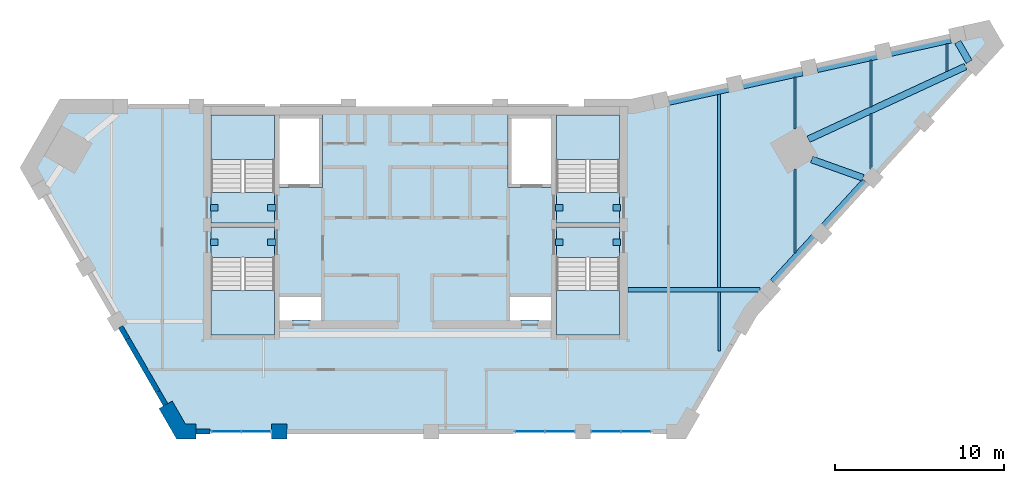
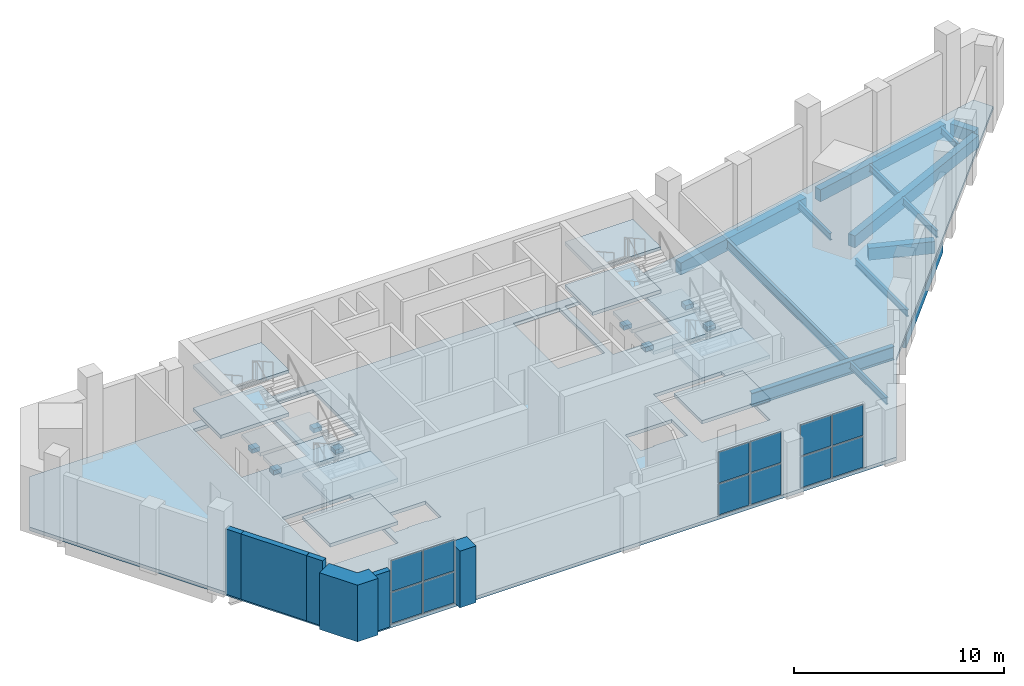
# One storey, part 3 of 9: 22 beams, 13 slabs, 12 plates, 6 walls, 7 elements without a shape of their own.
"""IFC4 building model written with IfcOpenShell, lengths in metres."""

import ifcopenshell
import ifcopenshell.guid

model = None  # the IFC model being written
_history = None  # IfcOwnerHistory: only IFC2X3 demands one
_inside = {}  # id of a spatial element -> (the spatial element, [elements in it])
_under = {}  # id of a project, library or spatial element -> (it, [spatial elements below it])
_declared = {}  # id of a project -> (the project, [libraries it declares])
_typed = {}  # id of a type object -> (the type object, [elements of that type])
_made_of = {}  # id of a material, layer set ... -> (it, [elements and type objects made of it])


def new_model(schema):
    """Start an empty IFC model of exactly this schema.

    Asked for "IFC4X3", IfcOpenShell would pick the latest addendum, in which some entities
    have other attributes; the version numbers below select the first issue.
    IFC2X3 requires an IfcOwnerHistory on every rooted entity: one is made here for all.
    """
    global model, _history
    if schema == "IFC4X3":
        model = ifcopenshell.file(schema_version=(4, 3, 0, 0))
    else:
        model = ifcopenshell.file(schema=schema)
    _inside.clear()
    _under.clear()
    _declared.clear()
    _typed.clear()
    _made_of.clear()
    _history = None
    if model.schema == "IFC2X3":
        org = make("IfcOrganization", Name="unknown")
        user = make(
            "IfcPersonAndOrganization",
            ThePerson=make("IfcPerson", FamilyName="unknown"),
            TheOrganization=org,
        )
        app = make(
            "IfcApplication",
            ApplicationDeveloper=org,
            Version="unknown",
            ApplicationFullName="unknown",
            ApplicationIdentifier="unknown",
        )
        _history = make(
            "IfcOwnerHistory",
            OwningUser=user,
            OwningApplication=app,
            ChangeAction="ADDED",
            CreationDate=0,
        )
    return model


def make(cls, **values):
    """One entity of the class cls with the attributes given. An attribute that is None is left unset."""
    return model.create_entity(
        cls, **{name: value for name, value in values.items() if value is not None}
    )


def rooted(cls, **values):
    """An entity with a GlobalId (a new one), such as an element, a storey or a relation."""
    return make(cls, GlobalId=ifcopenshell.guid.new(), OwnerHistory=_history, **values)


def si_unit(unit_type, name, prefix=None):
    """IfcSIUnit, for example si_unit("LENGTHUNIT", "METRE", prefix="MILLI")."""
    return make("IfcSIUnit", UnitType=unit_type, Prefix=prefix, Name=name)


def assignment(units):
    """IfcUnitAssignment: the units of a project."""
    return None if units is None else make("IfcUnitAssignment", Units=units)


def point(xyz):
    """IfcCartesianPoint."""
    return None if xyz is None else make("IfcCartesianPoint", Coordinates=xyz)


def direction(xyz):
    """IfcDirection."""
    return None if xyz is None else make("IfcDirection", DirectionRatios=xyz)


def frame(location, z_axis=None, x_axis=None):
    """IfcAxis2Placement3D, a coordinate frame: its origin and axes. An axis left out is left unset."""
    return make(
        "IfcAxis2Placement3D",
        Location=point(location),
        Axis=direction(z_axis),
        RefDirection=direction(x_axis),
    )


def frame_2d(location, x_axis=None):
    """IfcAxis2Placement2D, a coordinate frame in the plane: its origin and x axis."""
    return make(
        "IfcAxis2Placement2D", Location=point(location), RefDirection=direction(x_axis)
    )


def origin():
    """The frame at (0, 0, 0) with its axes left unset."""
    return frame((0.0, 0.0, 0.0))


def origin_2d():
    """The frame at (0, 0) in the plane with its x axis left unset."""
    return frame_2d((0.0, 0.0))


def place(relative_to, where):
    """IfcLocalPlacement: puts the frame where relative to a parent placement (None: the world)."""
    return make(
        "IfcLocalPlacement", PlacementRelTo=relative_to, RelativePlacement=where
    )


def context(
    kind, dimensions, precision=None, world=None, true_north=None, identifier=None
):
    """IfcGeometricRepresentationContext, for example the 3D "Model" context."""
    return make(
        "IfcGeometricRepresentationContext",
        ContextIdentifier=identifier,
        ContextType=kind,
        CoordinateSpaceDimension=dimensions,
        Precision=precision,
        WorldCoordinateSystem=world,
        TrueNorth=true_north,
    )


def subcontext(parent, identifier, kind, view, scale=None):
    """IfcGeometricRepresentationSubContext, for example "Body" below "Model"."""
    return make(
        "IfcGeometricRepresentationSubContext",
        ContextIdentifier=identifier,
        ContextType=kind,
        ParentContext=parent,
        TargetScale=scale,
        TargetView=view,
    )


def project(units=None, contexts=None):
    """IfcProject with its units and contexts."""
    return rooted(
        "IfcProject",
        Name="project",
        RepresentationContexts=contexts,
        UnitsInContext=assignment(units),
    )


def spatial(cls, under=None, at=None, **own):
    """A site, building, storey or space (cls), placed at a placement, below another one or the project."""
    s = rooted(cls, ObjectPlacement=at, **own)
    if under is not None:
        _under.setdefault(under.id(), (under, []))[1].append(s)
    return s


def polyline(points):
    """IfcPolyline through the points."""
    return make("IfcPolyline", Points=[point(p) for p in points])


def profile(cls, at=None, kind="AREA", **sizes):
    """A parametric profile (cls). Its sizes go by their IFC names, for example OverallWidth=200.0."""
    return make(cls, ProfileType=kind, Position=at, **sizes)


def rectangle(**sizes):
    """IfcRectangleProfileDef."""
    return profile("IfcRectangleProfileDef", **sizes)


def i_section(**sizes):
    """IfcIShapeProfileDef."""
    return profile("IfcIShapeProfileDef", **sizes)


def outline(outer, holes=None, kind="AREA"):
    """IfcArbitraryClosedProfileDef: a profile drawn as a closed curve; with holes, ...WithVoids."""
    if holes is None:
        return make("IfcArbitraryClosedProfileDef", ProfileType=kind, OuterCurve=outer)
    return make(
        "IfcArbitraryProfileDefWithVoids",
        ProfileType=kind,
        OuterCurve=outer,
        InnerCurves=holes,
    )


def extrude(swept, where, along, depth):
    """IfcExtrudedAreaSolid: the profile swept, set in the frame where, extruded along a direction by depth."""
    return make(
        "IfcExtrudedAreaSolid",
        SweptArea=swept,
        Position=where,
        ExtrudedDirection=direction(along),
        Depth=depth,
    )


def shape(context_of_items, identifier, shape_type, items):
    """IfcShapeRepresentation: the items that make up one representation, for example the "Body"."""
    return make(
        "IfcShapeRepresentation",
        ContextOfItems=context_of_items,
        RepresentationIdentifier=identifier,
        RepresentationType=shape_type,
        Items=items,
    )


def material(Name=None, Category=None):
    """IfcMaterial."""
    return make("IfcMaterial", Name=Name, Category=Category)


def layer(
    of_material, thickness, ventilated=None, Name=None, Category=None, Priority=None
):
    """IfcMaterialLayer: one layer of a wall or slab, of a material (None: an air gap)."""
    return make(
        "IfcMaterialLayer",
        Material=of_material,
        LayerThickness=thickness,
        IsVentilated=ventilated,
        Name=Name,
        Category=Category,
        Priority=Priority,
    )


def layer_set(layers, Name=None):
    """IfcMaterialLayerSet."""
    return make("IfcMaterialLayerSet", MaterialLayers=layers, LayerSetName=Name)


def material_profile(
    of_material, cross_section, Name=None, Category=None, Priority=None
):
    """IfcMaterialProfile: a cross section and its material."""
    return make(
        "IfcMaterialProfile",
        Name=Name,
        Material=of_material,
        Profile=cross_section,
        Priority=Priority,
        Category=Category,
    )


def profile_set(profiles, Name=None, composite=None):
    """IfcMaterialProfileSet."""
    return make(
        "IfcMaterialProfileSet",
        Name=Name,
        MaterialProfiles=profiles,
        CompositeProfile=composite,
    )


def made_of(thing, what):
    """Note that an element or type object is made of a material, layer set ...; save() writes the relation."""
    if what is not None:
        _made_of.setdefault(what.id(), (what, []))[1].append(thing)
    return thing


def type_object(cls, material=None, **own):
    """A type object (cls), such as IfcWallType, which elements share."""
    return made_of(rooted(cls, **own), material)


def element(
    cls,
    number,
    at=None,
    inside=None,
    cuts=None,
    type_object=None,
    material=None,
    context=None,
    identifier="Body",
    shape_type=None,
    held_by="IfcProductDefinitionShape",
    body=None,
    shapes=None,
    **own,
):
    """One element of the class cls, such as IfcWall. Its Tag is "e" and its number.

    at: its placement. inside: the storey or other place that contains it. cuts: it is an
    opening in that element (IfcRelVoidsElement). A single representation is given by context,
    identifier, shape_type and body (its items); several are given by shapes. held_by: the class
    of the entity that holds the representations. save() writes the other relations.
    """
    e = rooted(cls, Tag="e%d" % number, ObjectPlacement=at, **own)
    if body is not None:
        shapes = [shape(context, identifier, shape_type, body)]
    if shapes is not None:
        e.Representation = make(held_by, Representations=shapes)
    if inside is not None:
        _inside.setdefault(inside.id(), (inside, []))[1].append(e)
    if cuts is not None:
        rooted(
            "IfcRelVoidsElement", RelatingBuildingElement=cuts, RelatedOpeningElement=e
        )
    if type_object is not None:
        _typed.setdefault(type_object.id(), (type_object, []))[1].append(e)
    return made_of(e, material)


def aggregate(whole, parts):
    """IfcRelAggregates: a whole, such as a stair, and the parts it consists of."""
    return rooted("IfcRelAggregates", RelatingObject=whole, RelatedObjects=parts)


def save(model, path):
    """Write the relations noted so far, then the file.

    IfcRelAggregates (storeys below a building ...), IfcRelContainedInSpatialStructure (elements
    in a storey), IfcRelDefinesByType, IfcRelAssociatesMaterial and IfcRelDeclares: one each for
    every whole, place, type object, material and project.
    """
    for whole, parts in _under.values():
        aggregate(whole, parts)
    for where, things in _inside.values():
        rooted(
            "IfcRelContainedInSpatialStructure",
            RelatedElements=things,
            RelatingStructure=where,
        )
    for kind, things in _typed.values():
        rooted("IfcRelDefinesByType", RelatedObjects=things, RelatingType=kind)
    for what, things in _made_of.values():
        rooted("IfcRelAssociatesMaterial", RelatedObjects=things, RelatingMaterial=what)
    for by, libraries in _declared.values():
        rooted("IfcRelDeclares", RelatingContext=by, RelatedDefinitions=libraries)
    model.write(path)


model = new_model("IFC4")

# Units and contexts
model_context = context("Model", 3, precision=1e-05, world=origin(), true_north=direction((0.0, 1.0)))
body_context = subcontext(model_context, "Body", "Model", "MODEL_VIEW")
ifc_project = project(units=[si_unit("LENGTHUNIT", "METRE"), si_unit("AREAUNIT", "SQUARE_METRE"), si_unit("VOLUMEUNIT", "CUBIC_METRE"), si_unit("PLANEANGLEUNIT", "RADIAN"), si_unit("MASSUNIT", "GRAM", prefix="KILO")], contexts=[model_context])

# Site, building, storey
site_placement = place(None, origin())
site = spatial("IfcSite", under=ifc_project, at=site_placement, CompositionType="ELEMENT")
building_placement = place(site_placement, origin())
building = spatial("IfcBuilding", under=site, at=building_placement, Name="Calabash Gate Tower", CompositionType="ELEMENT")
storey_placement = place(building_placement, frame((0.0, 0.0, 330.5)))
storey = spatial("IfcBuildingStorey", under=building, at=storey_placement, Name="L77", CompositionType="ELEMENT", Elevation=330.5)

# Beams
ifc_material_1 = material(Name="Concrete C50/60", Category="concrete")
ifc_material_profile_1 = material_profile(ifc_material_1, rectangle(XDim=0.39990234375, YDim=0.699951171875, at=origin_2d()))
ifc_profile_set_1 = profile_set([ifc_material_profile_1], Name="Concrete C50/60")
beam_type_1 = type_object("IfcBeamType", Name="Edge beam RC 400x700 Concrete C50/60", PredefinedType="BEAM", material=ifc_profile_set_1)
beam_1_placement = place(storey_placement, frame((21.18701171875, 8.652099609375, -0.550048828125), z_axis=(0.674873802315, 0.737933161573, 0.0), x_axis=(-0.737933161573, 0.674873802315, 0.0)))
element("IfcBeam", 1, at=beam_1_placement, inside=storey, type_object=beam_type_1, Name="Edge beam L77 1", PredefinedType="BEAM", context=body_context, shape_type="SweptSolid", body=[
    extrude(rectangle(XDim=0.39990234375, YDim=0.699951171875, at=origin_2d()), origin(), (0.0, 0.0, 1.0), 8.099365234375),
])
beam_2_placement = place(storey_placement, frame((26.51904296875, 14.822998046875, -0.550048828125), z_axis=(-0.941568596034, 0.336821286386, 0.0), x_axis=(-0.336821286386, -0.941568596034, 0.0)))
element("IfcBeam", 2, at=beam_2_placement, inside=storey, type_object=beam_type_1, Name="Edge beam L77 2", PredefinedType="BEAM", context=body_context, shape_type="SweptSolid", body=[
    extrude(rectangle(XDim=0.39990234375, YDim=0.699951171875, at=origin_2d()), origin(), (0.0, 0.0, 1.0), 3.22119140625),
])
beam_3_placement = place(storey_placement, frame((23.2919921875, 17.10693359375, -0.550048828125), z_axis=(0.907348038584, 0.420380228933, 0.0), x_axis=(-0.420380228933, 0.907348038584, 0.0)))
element("IfcBeam", 3, at=beam_3_placement, inside=storey, type_object=beam_type_1, Name="Edge beam L77 3", PredefinedType="BEAM", context=body_context, shape_type="SweptSolid", body=[
    extrude(rectangle(XDim=0.39990234375, YDim=0.699951171875, at=origin_2d()), origin(), (0.0, 0.0, 1.0), 10.255126953125),
])
beam_4_placement = place(storey_placement, frame((32.81591796875, 21.694091796875, -0.550048828125), z_axis=(-0.499903734186, 0.866080975745, 0.0), x_axis=(-0.866080975745, -0.499903734186, 0.0)))
element("IfcBeam", 4, at=beam_4_placement, inside=storey, type_object=beam_type_1, Name="Edge beam L77 4", PredefinedType="BEAM", context=body_context, shape_type="SweptSolid", body=[
    extrude(rectangle(XDim=0.39990234375, YDim=0.699951171875, at=origin_2d()), origin(), (0.0, 0.0, 1.0), 1.360107421875),
])
beam_5_placement = place(storey_placement, frame((31.72705078125, 23.006103515625, -0.550048828125), z_axis=(-0.976492437334, -0.215551663945, 0.0), x_axis=(0.215551663945, -0.976492437334, 0.0)))
element("IfcBeam", 5, at=beam_5_placement, inside=storey, type_object=beam_type_1, Name="Edge beam L77 5", PredefinedType="BEAM", context=body_context, shape_type="SweptSolid", body=[
    extrude(rectangle(XDim=0.39990234375, YDim=0.699951171875, at=origin_2d()), origin(), (0.0, 0.0, 1.0), 8.1005859375),
])
beam_6_placement = place(storey_placement, frame((22.93603515625, 21.06591796875, -0.550048828125), z_axis=(-0.976517152373, -0.215439669332, 0.0), x_axis=(0.215439669332, -0.976517152373, 0.0)))
element("IfcBeam", 6, at=beam_6_placement, inside=storey, type_object=beam_type_1, Name="Edge beam L77 6", PredefinedType="BEAM", context=body_context, shape_type="SweptSolid", body=[
    extrude(rectangle(XDim=0.39990234375, YDim=0.699951171875, at=origin_2d()), origin(), (0.0, 0.0, 1.0), 8.09912109375),
])
ifc_material_2 = material(Name="Steel ASTM A992 Gr50", Category="steel")
ifc_material_profile_2 = material_profile(ifc_material_2, i_section(OverallWidth=0.1396484375, OverallDepth=0.398681640625, WebThickness=0.00634765625, FlangeThickness=0.0087890625, FilletRadius=0.01025390625, at=origin_2d()))
ifc_profile_set_2 = profile_set([ifc_material_profile_2], Name="Steel ASTM A992 Gr50")
beam_type_2 = type_object("IfcBeamType", Name="Floor beam W16x26 ASTM A992 Gr50", PredefinedType="BEAM", material=ifc_profile_set_2)
beam_7_placement = place(storey_placement, frame((18.0, 4.547119140625, -0.39892578125), z_axis=(0.0, 1.0, 0.0), x_axis=(-1.0, 0.0, 0.0)))
element("IfcBeam", 7, at=beam_7_placement, inside=storey, type_object=beam_type_2, Name="Floor beam L77 4", PredefinedType="BEAM", context=body_context, shape_type="SweptSolid", body=[
    extrude(i_section(OverallWidth=0.1396484375, OverallDepth=0.398681640625, WebThickness=0.00634765625, FlangeThickness=0.0087890625, FilletRadius=0.01025390625, at=origin_2d()), origin(), (0.0, 0.0, 1.0), 3.50390625),
])
beam_8_placement = place(storey_placement, frame((22.5, 10.3720703125, -0.39892578125), z_axis=(0.0, 1.0, 0.0), x_axis=(-1.0, 0.0, 0.0)))
element("IfcBeam", 8, at=beam_8_placement, inside=storey, type_object=beam_type_2, Name="Floor beam L77 6", PredefinedType="BEAM", context=body_context, shape_type="SweptSolid", body=[
    extrude(i_section(OverallWidth=0.1396484375, OverallDepth=0.398681640625, WebThickness=0.00634765625, FlangeThickness=0.0087890625, FilletRadius=0.01025390625, at=origin_2d()), origin(), (0.0, 0.0, 1.0), 4.969970703125),
])
beam_9_placement = place(storey_placement, frame((22.5, 17.702880859375, -0.39892578125), z_axis=(0.0, 1.0, 0.0), x_axis=(-1.0, 0.0, 0.0)))
element("IfcBeam", 9, at=beam_9_placement, inside=storey, type_object=beam_type_2, Name="Floor beam L77 7", PredefinedType="BEAM", context=body_context, shape_type="SweptSolid", body=[
    extrude(i_section(OverallWidth=0.1396484375, OverallDepth=0.398681640625, WebThickness=0.00634765625, FlangeThickness=0.0087890625, FilletRadius=0.01025390625, at=origin_2d()), origin(), (0.0, 0.0, 1.0), 3.09423828125),
])
beam_10_placement = place(storey_placement, frame((27.0, 15.35693359375, -0.39892578125), z_axis=(0.0, 1.0, 0.0), x_axis=(-1.0, 0.0, 0.0)))
element("IfcBeam", 10, at=beam_10_placement, inside=storey, type_object=beam_type_2, Name="Floor beam L77 8", PredefinedType="BEAM", context=body_context, shape_type="SweptSolid", body=[
    extrude(i_section(OverallWidth=0.1396484375, OverallDepth=0.398681640625, WebThickness=0.00634765625, FlangeThickness=0.0087890625, FilletRadius=0.01025390625, at=origin_2d()), origin(), (0.0, 0.0, 1.0), 3.27001953125),
])
beam_11_placement = place(storey_placement, frame((27.0, 19.02197265625, -0.39892578125), z_axis=(0.0, 1.0, 0.0), x_axis=(-1.0, 0.0, 0.0)))
element("IfcBeam", 11, at=beam_11_placement, inside=storey, type_object=beam_type_2, Name="Floor beam L77 9", PredefinedType="BEAM", context=body_context, shape_type="SweptSolid", body=[
    extrude(i_section(OverallWidth=0.1396484375, OverallDepth=0.398681640625, WebThickness=0.00634765625, FlangeThickness=0.0087890625, FilletRadius=0.01025390625, at=origin_2d()), origin(), (0.0, 0.0, 1.0), 2.76806640625),
])
beam_12_placement = place(storey_placement, frame((31.5, 21.10888671875, -0.39892578125), z_axis=(0.0, 1.0, 0.0), x_axis=(-1.0, 0.0, 0.0)))
element("IfcBeam", 12, at=beam_12_placement, inside=storey, type_object=beam_type_2, Name="Floor beam L77 10", PredefinedType="BEAM", context=body_context, shape_type="SweptSolid", body=[
    extrude(i_section(OverallWidth=0.1396484375, OverallDepth=0.398681640625, WebThickness=0.00634765625, FlangeThickness=0.0087890625, FilletRadius=0.01025390625, at=origin_2d()), origin(), (0.0, 0.0, 1.0), 1.674072265625),
])
ifc_material_3 = material(Name="Steel ASTM A992 Gr50", Category="steel")
ifc_material_profile_3 = material_profile(ifc_material_3, i_section(OverallWidth=0.166015625, OverallDepth=0.5283203125, WebThickness=0.009765625, FlangeThickness=0.013671875, FilletRadius=0.0126953125, at=origin_2d()))
ifc_profile_set_3 = profile_set([ifc_material_profile_3], Name="Steel ASTM A992 Gr50")
beam_type_3 = type_object("IfcBeamType", Name="Floor beam W21x50 ASTM A992 Gr50", PredefinedType="BEAM", material=ifc_profile_set_3)
beam_13_placement = place(storey_placement, frame((18.0, 8.318115234375, -0.464111328125), z_axis=(0.0, 1.0, 0.0), x_axis=(-1.0, 0.0, 0.0)))
element("IfcBeam", 13, at=beam_13_placement, inside=storey, type_object=beam_type_3, Name="Floor beam L77 5", PredefinedType="BEAM", context=body_context, shape_type="SweptSolid", body=[
    extrude(i_section(OverallWidth=0.166015625, OverallDepth=0.5283203125, WebThickness=0.009765625, FlangeThickness=0.013671875, FilletRadius=0.0126953125, at=origin_2d()), origin(), (0.0, 0.0, 1.0), 11.48583984375),
])
ifc_material_4 = material(Name="Steel ASTM A992 Gr50", Category="steel")
ifc_material_profile_4 = material_profile(ifc_material_4, i_section(OverallWidth=0.2666015625, OverallDepth=0.77978515625, WebThickness=0.0166015625, FlangeThickness=0.030029296875, FilletRadius=0.0166015625, at=origin_2d()))
ifc_profile_set_4 = profile_set([ifc_material_profile_4], Name="Steel ASTM A992 Gr50")
beam_type_4 = type_object("IfcBeamType", Name="Girder W30x148 ASTM A992 Gr50", PredefinedType="BEAM", material=ifc_profile_set_4)
beam_14_placement = place(storey_placement, frame((20.43310546875, 8.18701171875, -0.590087890625), z_axis=(-1.0, 0.0, 0.0), x_axis=(0.0, -1.0, 0.0)))
element("IfcBeam", 14, at=beam_14_placement, inside=storey, type_object=beam_type_4, Name="Girder L77 3", PredefinedType="BEAM", context=body_context, shape_type="SweptSolid", body=[
    extrude(i_section(OverallWidth=0.2666015625, OverallDepth=0.77978515625, WebThickness=0.0166015625, FlangeThickness=0.030029296875, FilletRadius=0.0166015625, at=origin_2d()), origin(), (0.0, 0.0, 1.0), 7.8330078125),
])
ifc_material_5 = material(Name="Concrete C60/75", Category="concrete")
ifc_material_profile_5 = material_profile(ifc_material_5, rectangle(XDim=0.39990234375, YDim=0.25, at=origin_2d()))
ifc_profile_set_5 = profile_set([ifc_material_profile_5], Name="Concrete C60/75")
beam_type_5 = type_object("IfcBeamType", Name="Landing corbel RC 400x250 Concrete C60/75", PredefinedType="BEAM", material=ifc_profile_set_5)
for number, where, z_axis, x_axis, name in (
    (15, (-12.14990234375, 13.052978515625, 2.174072265625), (1.0, 0.0, 0.0), (0.0, 1.0, 0.0), "Landing corbel ST1-L77/L2 west"),
    (16, (-8.300048828125, 13.052978515625, 2.174072265625), (-1.0, 0.0, 0.0), (0.0, -1.0, 0.0), "Landing corbel ST1-L77/L2 east"),
    (17, (-12.14990234375, 11.0029296875, 2.174072265625), (1.0, 0.0, 0.0), (0.0, 1.0, 0.0), "Landing corbel ST2-L77/L2 west"),
    (18, (-8.300048828125, 11.0029296875, 2.174072265625), (-1.0, 0.0, 0.0), (0.0, -1.0, 0.0), "Landing corbel ST2-L77/L2 east"),
    (19, (8.300048828125, 13.052978515625, 2.174072265625), (1.0, 0.0, 0.0), (0.0, 1.0, 0.0), "Landing corbel ST3-L77/L2 west"),
    (20, (12.14990234375, 13.052978515625, 2.174072265625), (-1.0, 0.0, 0.0), (0.0, -1.0, 0.0), "Landing corbel ST3-L77/L2 east"),
    (21, (8.300048828125, 11.0029296875, 2.174072265625), (1.0, 0.0, 0.0), (0.0, 1.0, 0.0), "Landing corbel ST4-L77/L2 west"),
    (22, (12.14990234375, 11.0029296875, 2.174072265625), (-1.0, 0.0, 0.0), (0.0, -1.0, 0.0), "Landing corbel ST4-L77/L2 east"),
):
    element("IfcBeam", number, at=place(storey_placement, frame(where, z_axis=z_axis, x_axis=x_axis)), inside=storey, type_object=beam_type_5, Name=name, PredefinedType="BEAM", context=body_context, shape_type="SweptSolid", body=[
        extrude(rectangle(XDim=0.39990234375, YDim=0.25, at=origin_2d()), origin(), (0.0, 0.0, 1.0), 0.449951171875),
    ])

# Curtain wall, plates
ifc_material_6 = material(Name="Anodised aluminium frame, bronze finish, clear laminated impact-rated glazing", Category="aluminium")
curtain_wall_type = type_object("IfcCurtainWallType", Name="Curtain wall CWV crown wall", PredefinedType="NOTDEFINED", material=ifc_material_6)
curtain_wall_1_placement = place(storey_placement, origin())
curtain_wall_1 = element("IfcCurtainWall", 23, at=curtain_wall_1_placement, inside=storey, type_object=curtain_wall_type, Name="Curtain wall CWV L77 crown1.1", PredefinedType="NOTDEFINED")
ifc_material_7 = material(Name="Clear laminated impact-rated glazing", Category="glass")
ifc_layer_1 = layer(ifc_material_7, 0.0439453125)
ifc_layer_set_1 = layer_set([ifc_layer_1], Name="Glass panel CWV 44")
plate_type = type_object("IfcPlateType", Name="Glass panel CWV 44", PredefinedType="CURTAIN_PANEL", material=ifc_layer_set_1)
plate_1_placement = place(storey_placement, frame((-11.1953125, -0.204345703125, 0.074951171875), z_axis=(0.0, 0.0, 1.0), x_axis=(1.0, 0.0, 0.0)))
plate_1 = element("IfcPlate", 24, at=plate_1_placement, type_object=plate_type, Name="CWV panel 1.1", PredefinedType="CURTAIN_PANEL", context=body_context, shape_type="SweptSolid", body=[
    extrude(rectangle(XDim=1.6875, YDim=0.0439453125, at=origin_2d()), origin(), (0.0, 0.0, 1.0), 1.78759765625),
])
plate_2_placement = place(storey_placement, frame((-11.1953125, -0.204345703125, 1.9375), z_axis=(0.0, 0.0, 1.0), x_axis=(1.0, 0.0, 0.0)))
plate_2 = element("IfcPlate", 25, at=plate_2_placement, type_object=plate_type, Name="CWV panel 1.2", PredefinedType="CURTAIN_PANEL", context=body_context, shape_type="SweptSolid", body=[
    extrude(rectangle(XDim=1.6875, YDim=0.0439453125, at=origin_2d()), origin(), (0.0, 0.0, 1.0), 1.78759765625),
])
plate_3_placement = place(storey_placement, frame((-9.432861328125, -0.204345703125, 0.074951171875), z_axis=(0.0, 0.0, 1.0), x_axis=(1.0, 0.0, 0.0)))
plate_3 = element("IfcPlate", 26, at=plate_3_placement, type_object=plate_type, Name="CWV panel 2.1", PredefinedType="CURTAIN_PANEL", context=body_context, shape_type="SweptSolid", body=[
    extrude(rectangle(XDim=1.6875, YDim=0.0439453125, at=origin_2d()), origin(), (0.0, 0.0, 1.0), 1.78759765625),
])
plate_4_placement = place(storey_placement, frame((-9.432861328125, -0.204345703125, 1.9375), z_axis=(0.0, 0.0, 1.0), x_axis=(1.0, 0.0, 0.0)))
plate_4 = element("IfcPlate", 27, at=plate_4_placement, type_object=plate_type, Name="CWV panel 2.2", PredefinedType="CURTAIN_PANEL", context=body_context, shape_type="SweptSolid", body=[
    extrude(rectangle(XDim=1.6875, YDim=0.0439453125, at=origin_2d()), origin(), (0.0, 0.0, 1.0), 1.78759765625),
])
aggregate(curtain_wall_1, [plate_1, plate_2, plate_3, plate_4])

curtain_wall_2_placement = place(storey_placement, origin())
curtain_wall_2 = element("IfcCurtainWall", 28, at=curtain_wall_2_placement, inside=storey, type_object=curtain_wall_type, Name="Curtain wall CWV L77 crown1.5", PredefinedType="NOTDEFINED")
plate_5_placement = place(storey_placement, frame((6.8046875, -0.204345703125, 0.074951171875), z_axis=(0.0, 0.0, 1.0), x_axis=(1.0, 0.0, 0.0)))
plate_5 = element("IfcPlate", 29, at=plate_5_placement, type_object=plate_type, Name="CWV panel 1.1", PredefinedType="CURTAIN_PANEL", context=body_context, shape_type="SweptSolid", body=[
    extrude(rectangle(XDim=1.6875, YDim=0.0439453125, at=origin_2d()), origin(), (0.0, 0.0, 1.0), 1.78759765625),
])
plate_6_placement = place(storey_placement, frame((6.8046875, -0.204345703125, 1.9375), z_axis=(0.0, 0.0, 1.0), x_axis=(1.0, 0.0, 0.0)))
plate_6 = element("IfcPlate", 30, at=plate_6_placement, type_object=plate_type, Name="CWV panel 1.2", PredefinedType="CURTAIN_PANEL", context=body_context, shape_type="SweptSolid", body=[
    extrude(rectangle(XDim=1.6875, YDim=0.0439453125, at=origin_2d()), origin(), (0.0, 0.0, 1.0), 1.78759765625),
])
plate_7_placement = place(storey_placement, frame((8.567138671875, -0.204345703125, 0.074951171875), z_axis=(0.0, 0.0, 1.0), x_axis=(1.0, 0.0, 0.0)))
plate_7 = element("IfcPlate", 31, at=plate_7_placement, type_object=plate_type, Name="CWV panel 2.1", PredefinedType="CURTAIN_PANEL", context=body_context, shape_type="SweptSolid", body=[
    extrude(rectangle(XDim=1.6875, YDim=0.0439453125, at=origin_2d()), origin(), (0.0, 0.0, 1.0), 1.78759765625),
])
plate_8_placement = place(storey_placement, frame((8.567138671875, -0.204345703125, 1.9375), z_axis=(0.0, 0.0, 1.0), x_axis=(1.0, 0.0, 0.0)))
plate_8 = element("IfcPlate", 32, at=plate_8_placement, type_object=plate_type, Name="CWV panel 2.2", PredefinedType="CURTAIN_PANEL", context=body_context, shape_type="SweptSolid", body=[
    extrude(rectangle(XDim=1.6875, YDim=0.0439453125, at=origin_2d()), origin(), (0.0, 0.0, 1.0), 1.78759765625),
])
aggregate(curtain_wall_2, [plate_5, plate_6, plate_7, plate_8])

curtain_wall_3_placement = place(storey_placement, origin())
curtain_wall_3 = element("IfcCurtainWall", 33, at=curtain_wall_3_placement, inside=storey, type_object=curtain_wall_type, Name="Curtain wall CWV L77 crown1.6", PredefinedType="NOTDEFINED")
plate_9_placement = place(storey_placement, frame((11.3046875, -0.204345703125, 0.074951171875), z_axis=(0.0, 0.0, 1.0), x_axis=(1.0, 0.0, 0.0)))
plate_9 = element("IfcPlate", 34, at=plate_9_placement, type_object=plate_type, Name="CWV panel 1.1", PredefinedType="CURTAIN_PANEL", context=body_context, shape_type="SweptSolid", body=[
    extrude(rectangle(XDim=1.6875, YDim=0.0439453125, at=origin_2d()), origin(), (0.0, 0.0, 1.0), 1.78759765625),
])
plate_10_placement = place(storey_placement, frame((11.3046875, -0.204345703125, 1.9375), z_axis=(0.0, 0.0, 1.0), x_axis=(1.0, 0.0, 0.0)))
plate_10 = element("IfcPlate", 35, at=plate_10_placement, type_object=plate_type, Name="CWV panel 1.2", PredefinedType="CURTAIN_PANEL", context=body_context, shape_type="SweptSolid", body=[
    extrude(rectangle(XDim=1.6875, YDim=0.0439453125, at=origin_2d()), origin(), (0.0, 0.0, 1.0), 1.78759765625),
])
plate_11_placement = place(storey_placement, frame((13.067138671875, -0.204345703125, 0.074951171875), z_axis=(0.0, 0.0, 1.0), x_axis=(1.0, 0.0, 0.0)))
plate_11 = element("IfcPlate", 36, at=plate_11_placement, type_object=plate_type, Name="CWV panel 2.1", PredefinedType="CURTAIN_PANEL", context=body_context, shape_type="SweptSolid", body=[
    extrude(rectangle(XDim=1.6875, YDim=0.0439453125, at=origin_2d()), origin(), (0.0, 0.0, 1.0), 1.78759765625),
])
plate_12_placement = place(storey_placement, frame((13.067138671875, -0.204345703125, 1.9375), z_axis=(0.0, 0.0, 1.0), x_axis=(1.0, 0.0, 0.0)))
plate_12 = element("IfcPlate", 37, at=plate_12_placement, type_object=plate_type, Name="CWV panel 2.2", PredefinedType="CURTAIN_PANEL", context=body_context, shape_type="SweptSolid", body=[
    extrude(rectangle(XDim=1.6875, YDim=0.0439453125, at=origin_2d()), origin(), (0.0, 0.0, 1.0), 1.78759765625),
])
aggregate(curtain_wall_3, [plate_9, plate_10, plate_11, plate_12])

# Slab
ifc_material_8 = material(Name="Concrete C40/50", Category="concrete")
ifc_layer_2 = layer(ifc_material_8, 0.199951171875)
ifc_layer_set_2 = layer_set([ifc_layer_2], Name="Reinforced concrete floor slab 200 Concrete C40/50")
slab_type_1 = type_object("IfcSlabType", Name="Reinforced concrete floor slab 200 Concrete C40/50", PredefinedType="FLOOR", material=ifc_layer_set_2)
slab_1_placement = place(storey_placement, frame((0.0, 0.0, -0.199951171875)))
element("IfcSlab", 38, at=slab_1_placement, inside=storey, type_object=slab_type_1, Name="Floor slab L77", PredefinedType="FLOOR", context=body_context, shape_type="SweptSolid", body=[
    extrude(outline(polyline([(-22.9111328125, 15.41796875), (-20.812744140625, 19.052490234375), (12.88134765625, 19.052490234375), (33.783935546875, 23.664794921875), (34.326904296875, 22.724365234375), (19.88134765625, 6.92822265625), (15.763427734375, -0.204345703125), (-13.8916015625, -0.204345703125), (-22.9111328125, 15.41796875)]), holes=[polyline([(-8.050048828125, 18.552490234375), (-8.050048828125, 14.252685546875), (-5.5, 14.252685546875), (-5.5, 18.552490234375), (-8.050048828125, 18.552490234375)]), polyline([(8.050048828125, 18.552490234375), (5.5, 18.552490234375), (5.5, 14.252685546875), (8.050048828125, 14.252685546875), (8.050048828125, 18.552490234375)]), polyline([(-8.35009765625, 18.552490234375), (-12.10009765625, 18.552490234375), (-12.10009765625, 13.95263671875), (-8.35009765625, 13.95263671875), (-8.35009765625, 18.552490234375)]), polyline([(-12.10009765625, 10.1025390625), (-12.10009765625, 5.502685546875), (-8.35009765625, 5.502685546875), (-8.35009765625, 10.1025390625), (-12.10009765625, 10.1025390625)]), polyline([(8.35009765625, 13.95263671875), (12.10009765625, 13.95263671875), (12.10009765625, 18.552490234375), (8.35009765625, 18.552490234375), (8.35009765625, 13.95263671875)]), polyline([(12.10009765625, 5.502685546875), (12.10009765625, 10.1025390625), (8.35009765625, 10.1025390625), (8.35009765625, 5.502685546875), (12.10009765625, 5.502685546875)]), polyline([(-7.324951171875, 6.3525390625), (-7.324951171875, 6.402587890625), (-6.22509765625, 6.402587890625), (-6.22509765625, 6.3525390625), (-5.5, 6.3525390625), (-5.5, 7.8525390625), (-8.050048828125, 7.8525390625), (-8.050048828125, 6.3525390625), (-7.324951171875, 6.3525390625)]), polyline([(5.5, 6.3525390625), (6.22509765625, 6.3525390625), (6.22509765625, 6.402587890625), (7.324951171875, 6.402587890625), (7.324951171875, 6.3525390625), (8.050048828125, 6.3525390625), (8.050048828125, 7.8525390625), (5.5, 7.8525390625), (5.5, 6.3525390625)])]), origin(), (0.0, 0.0, 1.0), 0.199951171875),
])

# Stair, slabs
ifc_material_9 = material(Name="Concrete C40/50", Category="concrete")
stair_type = type_object("IfcStairType", Name="Exit stair 32 risers of 156.2 mm", PredefinedType="HALF_TURN_STAIR", material=ifc_material_9)
stair_1_placement = place(storey_placement, origin())
stair_1 = element("IfcStair", 39, at=stair_1_placement, inside=storey, type_object=stair_type, Name="L77 Exit stair ST1", PredefinedType="HALF_TURN_STAIR")
ifc_material_10 = material(Name="Concrete C40/50", Category="concrete")
ifc_layer_3 = layer(ifc_material_10, 0.199951171875)
ifc_layer_set_3 = layer_set([ifc_layer_3], Name="Stair landing SL200")
slab_type_2 = type_object("IfcSlabType", Name="Stair landing SL200", PredefinedType="LANDING", material=ifc_layer_set_3)
slab_2_placement = place(storey_placement, frame((0.0, 0.0, 1.050048828125)))
slab_2 = element("IfcSlab", 40, at=slab_2_placement, type_object=slab_type_2, Name="ST1 landing 1", PredefinedType="LANDING", context=body_context, shape_type="SweptSolid", body=[
    extrude(outline(polyline([(-8.35009765625, 15.905517578125), (-8.35009765625, 18.552490234375), (-12.10009765625, 18.552490234375), (-12.10009765625, 15.905517578125), (-8.35009765625, 15.905517578125)])), origin(), (0.0, 0.0, 1.0), 0.199951171875),
])
slab_3_placement = place(storey_placement, frame((0.0, 0.0, 2.300048828125)))
slab_3 = element("IfcSlab", 41, at=slab_3_placement, type_object=slab_type_2, Name="ST1 landing 2", PredefinedType="LANDING", context=body_context, shape_type="SweptSolid", body=[
    extrude(outline(polyline([(-8.35009765625, 12.152587890625), (-8.35009765625, 13.95263671875), (-12.10009765625, 13.95263671875), (-12.10009765625, 12.152587890625), (-8.35009765625, 12.152587890625)])), origin(), (0.0, 0.0, 1.0), 0.199951171875),
])
slab_4_placement = place(storey_placement, frame((0.0, 0.0, 3.550048828125)))
slab_4 = element("IfcSlab", 42, at=slab_4_placement, type_object=slab_type_2, Name="ST1 landing 3", PredefinedType="LANDING", context=body_context, shape_type="SweptSolid", body=[
    extrude(outline(polyline([(-8.35009765625, 15.905517578125), (-8.35009765625, 18.552490234375), (-12.10009765625, 18.552490234375), (-12.10009765625, 15.905517578125), (-8.35009765625, 15.905517578125)])), origin(), (0.0, 0.0, 1.0), 0.199951171875),
])
aggregate(stair_1, [slab_2, slab_3, slab_4])

stair_2_placement = place(storey_placement, origin())
stair_2 = element("IfcStair", 43, at=stair_2_placement, inside=storey, type_object=stair_type, Name="L77 Exit stair ST2", PredefinedType="HALF_TURN_STAIR")
slab_5_placement = place(storey_placement, frame((0.0, 0.0, 1.050048828125)))
slab_5 = element("IfcSlab", 44, at=slab_5_placement, type_object=slab_type_2, Name="ST2 landing 1", PredefinedType="LANDING", context=body_context, shape_type="SweptSolid", body=[
    extrude(outline(polyline([(-12.10009765625, 8.149658203125), (-12.10009765625, 5.502685546875), (-8.35009765625, 5.502685546875), (-8.35009765625, 8.149658203125), (-12.10009765625, 8.149658203125)])), origin(), (0.0, 0.0, 1.0), 0.199951171875),
])
slab_6_placement = place(storey_placement, frame((0.0, 0.0, 2.300048828125)))
slab_6 = element("IfcSlab", 45, at=slab_6_placement, type_object=slab_type_2, Name="ST2 landing 2", PredefinedType="LANDING", context=body_context, shape_type="SweptSolid", body=[
    extrude(outline(polyline([(-12.10009765625, 11.902587890625), (-12.10009765625, 10.1025390625), (-8.35009765625, 10.1025390625), (-8.35009765625, 11.902587890625), (-12.10009765625, 11.902587890625)])), origin(), (0.0, 0.0, 1.0), 0.199951171875),
])
slab_7_placement = place(storey_placement, frame((0.0, 0.0, 3.550048828125)))
slab_7 = element("IfcSlab", 46, at=slab_7_placement, type_object=slab_type_2, Name="ST2 landing 3", PredefinedType="LANDING", context=body_context, shape_type="SweptSolid", body=[
    extrude(outline(polyline([(-12.10009765625, 8.149658203125), (-12.10009765625, 5.502685546875), (-8.35009765625, 5.502685546875), (-8.35009765625, 8.149658203125), (-12.10009765625, 8.149658203125)])), origin(), (0.0, 0.0, 1.0), 0.199951171875),
])
aggregate(stair_2, [slab_5, slab_6, slab_7])

stair_3_placement = place(storey_placement, origin())
stair_3 = element("IfcStair", 47, at=stair_3_placement, inside=storey, type_object=stair_type, Name="L77 Exit stair ST3", PredefinedType="HALF_TURN_STAIR")
slab_8_placement = place(storey_placement, frame((0.0, 0.0, 1.050048828125)))
slab_8 = element("IfcSlab", 48, at=slab_8_placement, type_object=slab_type_2, Name="ST3 landing 1", PredefinedType="LANDING", context=body_context, shape_type="SweptSolid", body=[
    extrude(outline(polyline([(12.10009765625, 15.905517578125), (12.10009765625, 18.552490234375), (8.35009765625, 18.552490234375), (8.35009765625, 15.905517578125), (12.10009765625, 15.905517578125)])), origin(), (0.0, 0.0, 1.0), 0.199951171875),
])
slab_9_placement = place(storey_placement, frame((0.0, 0.0, 2.300048828125)))
slab_9 = element("IfcSlab", 49, at=slab_9_placement, type_object=slab_type_2, Name="ST3 landing 2", PredefinedType="LANDING", context=body_context, shape_type="SweptSolid", body=[
    extrude(outline(polyline([(12.10009765625, 12.152587890625), (12.10009765625, 13.95263671875), (8.35009765625, 13.95263671875), (8.35009765625, 12.152587890625), (12.10009765625, 12.152587890625)])), origin(), (0.0, 0.0, 1.0), 0.199951171875),
])
slab_10_placement = place(storey_placement, frame((0.0, 0.0, 3.550048828125)))
slab_10 = element("IfcSlab", 50, at=slab_10_placement, type_object=slab_type_2, Name="ST3 landing 3", PredefinedType="LANDING", context=body_context, shape_type="SweptSolid", body=[
    extrude(outline(polyline([(12.10009765625, 15.905517578125), (12.10009765625, 18.552490234375), (8.35009765625, 18.552490234375), (8.35009765625, 15.905517578125), (12.10009765625, 15.905517578125)])), origin(), (0.0, 0.0, 1.0), 0.199951171875),
])
aggregate(stair_3, [slab_8, slab_9, slab_10])

stair_4_placement = place(storey_placement, origin())
stair_4 = element("IfcStair", 51, at=stair_4_placement, inside=storey, type_object=stair_type, Name="L77 Exit stair ST4", PredefinedType="HALF_TURN_STAIR")
slab_11_placement = place(storey_placement, frame((0.0, 0.0, 1.050048828125)))
slab_11 = element("IfcSlab", 52, at=slab_11_placement, type_object=slab_type_2, Name="ST4 landing 1", PredefinedType="LANDING", context=body_context, shape_type="SweptSolid", body=[
    extrude(outline(polyline([(8.35009765625, 8.149658203125), (8.35009765625, 5.502685546875), (12.10009765625, 5.502685546875), (12.10009765625, 8.149658203125), (8.35009765625, 8.149658203125)])), origin(), (0.0, 0.0, 1.0), 0.199951171875),
])
slab_12_placement = place(storey_placement, frame((0.0, 0.0, 2.300048828125)))
slab_12 = element("IfcSlab", 53, at=slab_12_placement, type_object=slab_type_2, Name="ST4 landing 2", PredefinedType="LANDING", context=body_context, shape_type="SweptSolid", body=[
    extrude(outline(polyline([(8.35009765625, 11.902587890625), (8.35009765625, 10.1025390625), (12.10009765625, 10.1025390625), (12.10009765625, 11.902587890625), (8.35009765625, 11.902587890625)])), origin(), (0.0, 0.0, 1.0), 0.199951171875),
])
slab_13_placement = place(storey_placement, frame((0.0, 0.0, 3.550048828125)))
slab_13 = element("IfcSlab", 54, at=slab_13_placement, type_object=slab_type_2, Name="ST4 landing 3", PredefinedType="LANDING", context=body_context, shape_type="SweptSolid", body=[
    extrude(outline(polyline([(8.35009765625, 8.149658203125), (8.35009765625, 5.502685546875), (12.10009765625, 5.502685546875), (12.10009765625, 8.149658203125), (8.35009765625, 8.149658203125)])), origin(), (0.0, 0.0, 1.0), 0.199951171875),
])
aggregate(stair_4, [slab_11, slab_12, slab_13])

# Walls
ifc_material_11 = material(Name="Terracotta brick masonry, exposed face", Category="masonry")
ifc_layer_4 = layer(ifc_material_11, 0.89990234375)
ifc_layer_set_4 = layer_set([ifc_layer_4], Name="Brick end wall 900")
wall_type_1 = type_object("IfcWallType", Name="Brick end wall 900", PredefinedType="SOLIDWALL", material=ifc_layer_set_4)
wall_1_placement = place(storey_placement, origin())
element("IfcWall", 55, at=wall_1_placement, inside=storey, type_object=wall_type_1, Name="Brick pier L77 crown1.1", PredefinedType="SOLIDWALL", context=body_context, shape_type="SweptSolid", body=[
    extrude(outline(polyline([(-7.614013671875, 0.24560546875), (-8.51416015625, 0.24560546875), (-8.51416015625, -0.654541015625), (-7.614013671875, -0.654541015625), (-7.614013671875, 0.24560546875)])), origin(), (0.0, 0.0, 1.0), 3.29736328125),
])
wall_2_placement = place(storey_placement, origin())
element("IfcWall", 56, at=wall_2_placement, inside=storey, type_object=wall_type_1, Name="Brick end wall L77 1", PredefinedType="SOLIDWALL", context=body_context, shape_type="SweptSolid", body=[
    extrude(outline(polyline([(-14.41162109375, 1.596435546875), (-15.191162109375, 1.146484375), (-14.1513671875, -0.654541015625), (-13.01416015625, -0.654541015625), (-13.01416015625, 0.24560546875), (-13.6318359375, 0.24560546875), (-14.41162109375, 1.596435546875)])), origin(), (0.0, 0.0, 1.0), 3.29736328125),
])
ifc_material_12 = material(Name="Terracotta louvre blades in an aluminium frame", Category="masonry")
ifc_layer_5 = layer(ifc_material_12, 0.300048828125)
ifc_layer_set_5 = layer_set([ifc_layer_5], Name="Terracotta louvre wall 300")
wall_type_2 = type_object("IfcWallType", Name="Terracotta louvre wall 300", PredefinedType="ELEMENTEDWALL", material=ifc_layer_set_5)
wall_3_placement = place(storey_placement, frame((-17.051513671875, 5.2685546875, 0.0), z_axis=(0.0, 0.0, 1.0), x_axis=(0.500012057535, -0.866018442252, 0.0)))
element("IfcWall", 57, at=wall_3_placement, inside=storey, type_object=wall_type_2, Name="LOUVRE L77 crown0.3", PredefinedType="ELEMENTEDWALL", context=body_context, shape_type="SweptSolid", body=[
    extrude(rectangle(XDim=3.60009765625, YDim=0.300048828125, at=frame_2d((1.800048828125, 0.0))), origin(), (0.0, 0.0, 1.0), 3.800048828125),
])
wall_4_placement = place(storey_placement, frame((-17.47119140625, 5.99560546875, 0.0), z_axis=(0.0, 0.0, 1.0), x_axis=(0.499941663064, -0.866059082011, 0.0)))
element("IfcWall", 58, at=wall_4_placement, inside=storey, type_object=wall_type_2, Name="LOUVRE L77 edge crown0.c2", PredefinedType="ELEMENTEDWALL", context=body_context, shape_type="SweptSolid", body=[
    extrude(rectangle(XDim=0.83544921875, YDim=0.300048828125, at=frame_2d((0.417724609375, 0.0))), origin(), (0.0, 0.0, 1.0), 3.800048828125),
])
wall_5_placement = place(storey_placement, frame((-14.803466796875, 1.374755859375, 0.0), z_axis=(0.0, 0.0, 1.0), x_axis=(-0.49999285859, 0.86602952684, 0.0)))
element("IfcWall", 59, at=wall_5_placement, inside=storey, type_object=wall_type_2, Name="LOUVRE L77 edge crown0.c3", PredefinedType="ELEMENTEDWALL", context=body_context, shape_type="SweptSolid", body=[
    extrude(rectangle(XDim=0.8857421875, YDim=0.300048828125, at=frame_2d((0.44287109375, 0.0))), origin(), (0.0, 0.0, 1.0), 3.800048828125),
])
wall_6_placement = place(storey_placement, frame((-13.010009765625, -0.204345703125, 0.0), z_axis=(0.0, 0.0, 1.0), x_axis=(1.0, 0.0, 0.0)))
element("IfcWall", 60, at=wall_6_placement, inside=storey, type_object=wall_type_2, Name="LOUVRE L77 edge crown1.c4", PredefinedType="ELEMENTEDWALL", context=body_context, shape_type="SweptSolid", body=[
    extrude(rectangle(XDim=0.83837890625, YDim=0.300048828125, at=frame_2d((0.419189453125, 0.0))), origin(), (0.0, 0.0, 1.0), 3.27880859375),
])

save(model, "model.ifc")
